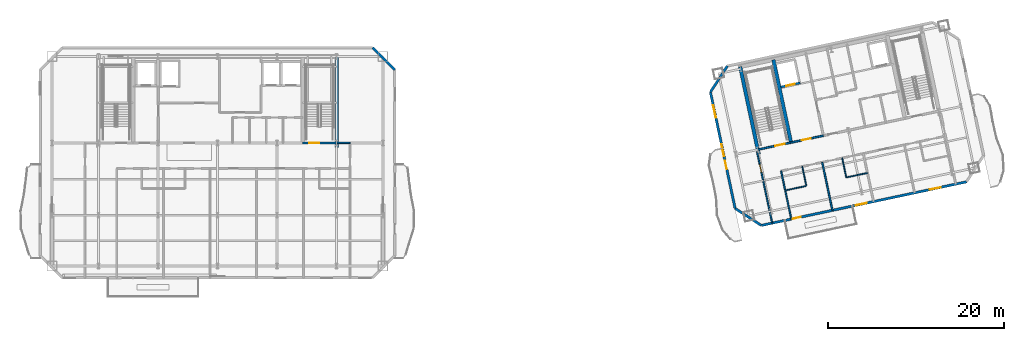
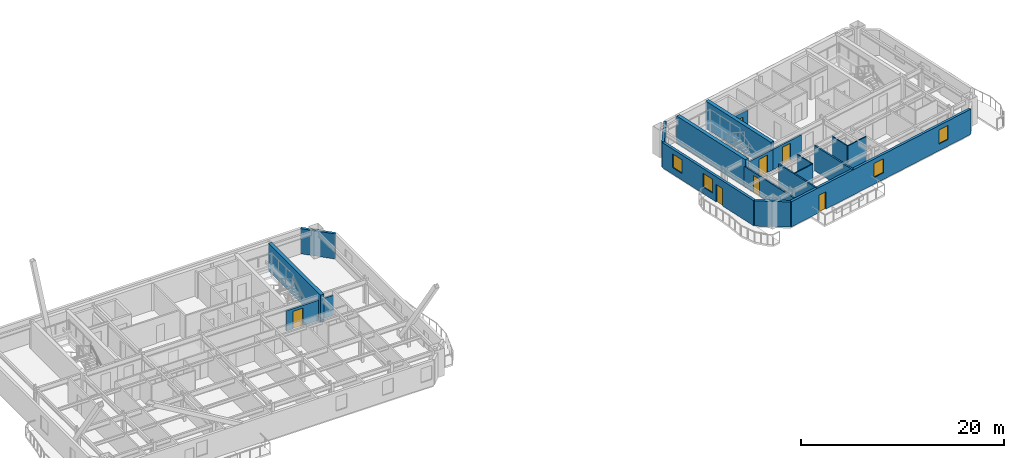
# One storey, part 7 of 14: 20 walls, 7 doors, 4 windows, 11 openings.
"""IFC4 building model written with IfcOpenShell, lengths in metres."""

from ifc_helpers import new_model, si_unit, direction, frame, frame_2d, origin, place, context, subcontext, project, spatial, rectangle, extrude, material, layer, layer_set, type_object, element, fill, save


model = new_model("IFC4")

# Units and contexts
model_context = context("Model", 3, precision=1e-05, world=origin(), true_north=direction((0.0, 1.0)))
body_context = subcontext(model_context, "Body", "Model", "MODEL_VIEW")
ifc_project = project(units=[si_unit("LENGTHUNIT", "METRE"), si_unit("AREAUNIT", "SQUARE_METRE"), si_unit("VOLUMEUNIT", "CUBIC_METRE"), si_unit("PLANEANGLEUNIT", "RADIAN"), si_unit("MASSUNIT", "GRAM", prefix="KILO")], contexts=[model_context])

# Site, building, storey
site_placement = place(None, origin())
site = spatial("IfcSite", under=ifc_project, at=site_placement, CompositionType="ELEMENT")
building_placement = place(site_placement, origin())
building = spatial("IfcBuilding", under=site, at=building_placement, Name="Haevon Station Towers", CompositionType="ELEMENT")
storey_placement = place(building_placement, frame((0.0, 0.0, 228.60009765625)))
storey = spatial("IfcBuildingStorey", under=building, at=storey_placement, Name="L63", CompositionType="ELEMENT", Elevation=228.60009765625)

# Walls
ifc_material_1 = material(Name="Gypsum board on steel stud", Category="steel")
ifc_layer_1 = layer(ifc_material_1, 0.179931640625)
ifc_layer_set_1 = layer_set([ifc_layer_1], Name="Gypsum board on steel stud")
wall_type_1 = type_object("IfcWallType", Name="WL-ACU180", PredefinedType="PARTITIONING", material=ifc_layer_set_1)
wall_1_placement = place(storey_placement, frame((51.0, 38.199951171875, 0.0), z_axis=(0.0, 0.0, 1.0), x_axis=(1.0, 0.0, 0.0)))
element("IfcWall", 1, at=wall_1_placement, inside=storey, type_object=wall_type_1, Name="WL-T1PT-L63-03", PredefinedType="PARTITIONING", context=body_context, shape_type="SweptSolid", body=[
    extrude(rectangle(XDim=1.52490234375, YDim=0.179931640625, at=frame_2d((0.762451171875, 0.0))), origin(), (0.0, 0.0, 1.0), 2.429931640625),
])
wall_2_placement = place(storey_placement, frame((107.211669921875, 30.560791015625, 0.0), z_axis=(0.0, 0.0, 1.0), x_axis=(-0.207894403042, 0.978151275204, 0.0)))
element("IfcWall", 2, at=wall_2_placement, inside=storey, type_object=wall_type_1, Name="WL-T2PT-L63-06", PredefinedType="PARTITIONING", context=body_context, shape_type="SweptSolid", body=[
    extrude(rectangle(XDim=5.56982421875, YDim=0.179931640625, at=frame_2d((2.784912109375, 0.0))), origin(), (0.0, 0.0, 1.0), 3.02978515625),
])

# Wall, opening, door
ifc_layer_2 = layer(ifc_material_1, 0.199951171875)
ifc_layer_set_2 = layer_set([ifc_layer_2], Name="Gypsum board on steel stud")
wall_type_2 = type_object("IfcWallType", Name="WL-COR200", PredefinedType="PARTITIONING", material=ifc_layer_set_2)
wall_3_placement = place(storey_placement, frame((47.14990234375, 38.199951171875, 0.0), z_axis=(0.0, 0.0, 1.0), x_axis=(1.0, 0.0, 0.0)))
wall_3 = element("IfcWall", 3, at=wall_3_placement, inside=storey, type_object=wall_type_2, Name="WL-ST-ST2-L63", PredefinedType="PARTITIONING", context=body_context, shape_type="SweptSolid", body=[
    extrude(rectangle(XDim=3.85009765625, YDim=0.199951171875, at=frame_2d((1.925048828125, 0.0))), origin(), (0.0, 0.0, 1.0), 2.429931640625),
])
opening_1_placement = place(wall_3_placement, frame((0.75, 0.0, 0.0)))
opening_1 = element("IfcOpeningElement", 4, at=opening_1_placement, cuts=wall_3, Name="Opening DR-ST-ST2-L63", PredefinedType="OPENING", context=body_context, shape_type="SweptSolid", body=[
    extrude(rectangle(XDim=1.1201171875, YDim=2.10009765625, at=frame_2d((0.56005859375, 1.050048828125))), frame((0.0, 0.10986328125, 0.0), z_axis=(0.0, -1.0, 0.0), x_axis=(1.0, 0.0, 0.0)), (0.0, 0.0, 1.0), 0.219970703125),
])
ifc_material_2 = material(Name="Engineered oak timber", Category="wood")
door_type_1 = type_object("IfcDoorType", Name="DR-ST-1120", OperationType="NOTDEFINED", PredefinedType="DOOR", material=ifc_material_2)
door_1_placement = place(opening_1_placement, origin())
door_1 = element("IfcDoor", 5, at=door_1_placement, inside=storey, type_object=door_type_1, Name="L63 Escape Stair ST2 Fire Door", OperationType="SINGLE_SWING_LEFT", OverallHeight=2.10009765625, OverallWidth=1.1201171875, PredefinedType="DOOR", context=body_context, shape_type="SweptSolid", body=[
    extrude(rectangle(XDim=1.1201171875, YDim=2.10009765625, at=frame_2d((0.56005859375, 1.050048828125))), frame((0.0, 0.02490234375, 0.0), z_axis=(0.0, -1.0, 0.0), x_axis=(1.0, 0.0, 0.0)), (0.0, 0.0, 1.0), 0.050048828125),
])
fill(opening_1, door_1)

wall_4_placement = place(storey_placement, frame((98.75244140625, 37.4423828125, 0.0), z_axis=(0.0, 0.0, 1.0), x_axis=(0.978143537786, 0.207930804564, 0.0)))
wall_4 = element("IfcWall", 6, at=wall_4_placement, inside=storey, type_object=wall_type_2, Name="WL-ST-ST3-L63", PredefinedType="PARTITIONING", context=body_context, shape_type="SweptSolid", body=[
    extrude(rectangle(XDim=3.85009765625, YDim=0.199951171875, at=frame_2d((1.925048828125, 0.0))), origin(), (0.0, 0.0, 1.0), 2.429931640625),
])
opening_2_placement = place(wall_4_placement, frame((2.0, 0.0, 0.0)))
opening_2 = element("IfcOpeningElement", 7, at=opening_2_placement, cuts=wall_4, Name="Opening DR-ST-ST3-L63", PredefinedType="OPENING", context=body_context, shape_type="SweptSolid", body=[
    extrude(rectangle(XDim=1.1201171875, YDim=2.10009765625, at=frame_2d((0.56005859375, 1.050048828125))), frame((0.0, 0.10986328125, 0.0), z_axis=(0.0, -1.0, 0.0), x_axis=(1.0, 0.0, 0.0)), (0.0, 0.0, 1.0), 0.219970703125),
])
door_2_placement = place(opening_2_placement, origin())
door_2 = element("IfcDoor", 8, at=door_2_placement, inside=storey, type_object=door_type_1, Name="L63 Escape Stair ST3 Fire Door", OperationType="SINGLE_SWING_LEFT", OverallHeight=2.10009765625, OverallWidth=1.1201171875, PredefinedType="DOOR", context=body_context, shape_type="SweptSolid", body=[
    extrude(rectangle(XDim=1.1201171875, YDim=2.10009765625, at=frame_2d((0.56005859375, 1.050048828125))), frame((0.0, 0.02490234375, 0.0), z_axis=(0.0, -1.0, 0.0), x_axis=(1.0, 0.0, 0.0)), (0.0, 0.0, 1.0), 0.050048828125),
])
fill(opening_2, door_2)

wall_5_placement = place(storey_placement, frame((102.518310546875, 38.242919921875, 0.0), z_axis=(0.0, 0.0, 1.0), x_axis=(0.978153555683, 0.20788367301, 0.0)))
wall_5 = element("IfcWall", 9, at=wall_5_placement, inside=storey, type_object=wall_type_2, Name="WL-T2FFL-L63-S", PredefinedType="PARTITIONING", context=body_context, shape_type="SweptSolid", body=[
    extrude(rectangle(XDim=3.75, YDim=0.199951171875, at=frame_2d((1.875, 0.0))), origin(), (0.0, 0.0, 1.0), 2.429931640625),
])
opening_3_placement = place(wall_5_placement, frame((1.25, 0.0, 0.0)))
opening_3 = element("IfcOpeningElement", 10, at=opening_3_placement, cuts=wall_5, Name="Opening DR-T2FFL-L63-S", PredefinedType="OPENING", context=body_context, shape_type="SweptSolid", body=[
    extrude(rectangle(XDim=1.050048828125, YDim=2.10009765625, at=frame_2d((0.52490234375, 1.050048828125))), frame((0.0, 0.10986328125, 0.0), z_axis=(0.0, -1.0, 0.0), x_axis=(1.0, 0.0, 0.0)), (0.0, 0.0, 1.0), 0.219970703125),
])
door_type_2 = type_object("IfcDoorType", Name="DR-FD60-1050", OperationType="NOTDEFINED", PredefinedType="DOOR", material=ifc_material_2)
door_3_placement = place(opening_3_placement, origin())
door_3 = element("IfcDoor", 11, at=door_3_placement, inside=storey, type_object=door_type_2, Name="L63 Tower 2 Firefighting Lift Lobby Door S", OperationType="SINGLE_SWING_RIGHT", OverallHeight=2.10009765625, OverallWidth=1.050048828125, PredefinedType="DOOR", context=body_context, shape_type="SweptSolid", body=[
    extrude(rectangle(XDim=1.050048828125, YDim=2.10009765625, at=frame_2d((0.52490234375, 1.050048828125))), frame((0.0, 0.02490234375, 0.0), z_axis=(0.0, -1.0, 0.0), x_axis=(1.0, 0.0, 0.0)), (0.0, 0.0, 1.0), 0.050048828125),
])
fill(opening_3, door_3)

# Walls
ifc_material_3 = material(Name="Concrete C60/75", Category="concrete")
ifc_layer_3 = layer(ifc_material_3, 0.39990234375)
ifc_layer_set_3 = layer_set([ifc_layer_3], Name="Concrete C60/75")
wall_type_3 = type_object("IfcWallType", Name="WL-CR400", PredefinedType="SHEAR", material=ifc_layer_set_3)
wall_6_placement = place(storey_placement, frame((51.0, 37.679931640625, 0.0), z_axis=(0.0, 0.0, 1.0), x_axis=(0.0, 1.0, 0.0)))
element("IfcWall", 12, at=wall_6_placement, inside=storey, type_object=wall_type_3, Name="WL-T1CR-L63-E", PredefinedType="SHEAR", context=body_context, shape_type="SweptSolid", body=[
    extrude(rectangle(XDim=10.320068359375, YDim=0.39990234375, at=frame_2d((5.16015625, 0.0))), origin(), (0.0, 0.0, 1.0), 3.2998046875),
])
wall_7_placement = place(storey_placement, frame((98.8603515625, 36.933837890625, 0.0), z_axis=(0.0, 0.0, 1.0), x_axis=(-0.20790924889, 0.978148119778, 0.0)))
element("IfcWall", 13, at=wall_7_placement, inside=storey, type_object=wall_type_3, Name="WL-T2CR-L63-W", PredefinedType="SHEAR", context=body_context, shape_type="SweptSolid", body=[
    extrude(rectangle(XDim=10.119873046875, YDim=0.39990234375, at=frame_2d((5.06005859375, 0.0))), origin(), (0.0, 0.0, 1.0), 3.2998046875),
])
wall_8_placement = place(storey_placement, frame((102.518310546875, 38.242919921875, 0.0), z_axis=(0.0, 0.0, 1.0), x_axis=(-0.207927495108, 0.978144241295, 0.0)))
element("IfcWall", 14, at=wall_8_placement, inside=storey, type_object=wall_type_3, Name="WL-T2CR-L63-M1", PredefinedType="SHEAR", context=body_context, shape_type="SweptSolid", body=[
    extrude(rectangle(XDim=9.599853515625, YDim=0.39990234375, at=frame_2d((4.7998046875, 0.0))), origin(), (0.0, 0.0, 1.0), 3.2998046875),
])
ifc_material_4 = material(Name="Precast concrete C45/55", Category="concrete")
ifc_layer_4 = layer(ifc_material_4, 0.280029296875)
ifc_layer_set_4 = layer_set([ifc_layer_4], Name="Precast concrete C45/55")
wall_type_4 = type_object("IfcWallType", Name="WL-EXT-PIER280", PredefinedType="SOLIDWALL", material=ifc_layer_set_4)
wall_9_placement = place(storey_placement, frame((55.10009765625, 49.0, 0.0), z_axis=(0.0, 0.0, 1.0), x_axis=(0.707106781187, -0.707106781187, 0.0)))
element("IfcWall", 15, at=wall_9_placement, inside=storey, type_object=wall_type_4, Name="WL-T1-L63-NEC", PredefinedType="SOLIDWALL", context=body_context, shape_type="SweptSolid", body=[
    extrude(rectangle(XDim=3.53564453125, YDim=0.280029296875, at=frame_2d((1.767822265625, 0.0))), origin(), (0.0, 0.0, 1.0), 3.02978515625),
])

# Wall, openings, door, windows
wall_10_placement = place(storey_placement, frame((122.427978515625, 33.795166015625, 0.0), z_axis=(0.0, 0.0, 1.0), x_axis=(-0.978147847697, -0.207910528946, 0.0)))
wall_10 = element("IfcWall", 16, at=wall_10_placement, inside=storey, type_object=wall_type_4, Name="WL-T2-L63-S", PredefinedType="SOLIDWALL", context=body_context, shape_type="SweptSolid", body=[
    extrude(rectangle(XDim=23.7998046875, YDim=0.280029296875, at=frame_2d((11.89990234375, 0.0))), origin(), (0.0, 0.0, 1.0), 3.02978515625),
])
opening_4_placement = place(wall_10_placement, frame((19.22509765625, 0.0, 0.0)))
opening_4 = element("IfcOpeningElement", 17, at=opening_4_placement, cuts=wall_10, Name="Opening DR-T2-PBAND-L63-1", PredefinedType="OPENING", context=body_context, shape_type="SweptSolid", body=[
    extrude(rectangle(XDim=0.949951171875, YDim=2.10009765625, at=frame_2d((0.47509765625, 1.050048828125))), frame((0.0, 0.14990234375, 0.0), z_axis=(0.0, -1.0, 0.0), x_axis=(1.0, 0.0, 0.0)), (0.0, 0.0, 1.0), 0.300048828125),
])
opening_5_placement = place(wall_10_placement, frame((11.585693359375, 0.0, 0.800048828125)))
opening_5 = element("IfcOpeningElement", 18, at=opening_5_placement, cuts=wall_10, Name="Opening WN-P125", PredefinedType="OPENING", context=body_context, shape_type="SweptSolid", body=[
    extrude(rectangle(XDim=1.25, YDim=1.699951171875, at=frame_2d((0.625, 0.85009765625))), frame((0.0, 0.14990234375, 0.0), z_axis=(0.0, -1.0, 0.0), x_axis=(1.0, 0.0, 0.0)), (0.0, 0.0, 1.0), 0.300048828125),
])
opening_6_placement = place(wall_10_placement, frame((3.02197265625, 0.0, 0.800048828125)))
opening_6 = element("IfcOpeningElement", 19, at=opening_6_placement, cuts=wall_10, Name="Opening WN-P125", PredefinedType="OPENING", context=body_context, shape_type="SweptSolid", body=[
    extrude(rectangle(XDim=1.25, YDim=1.699951171875, at=frame_2d((0.625, 0.85009765625))), frame((0.0, 0.14990234375, 0.0), z_axis=(0.0, -1.0, 0.0), x_axis=(1.0, 0.0, 0.0)), (0.0, 0.0, 1.0), 0.300048828125),
])
ifc_material_5 = material(Name="Thermally broken anodised aluminium and laminated safety glass", Category="aluminium")
door_type_3 = type_object("IfcDoorType", Name="DR-BALC-950", OperationType="NOTDEFINED", PredefinedType="DOOR", material=ifc_material_5)
door_4_placement = place(opening_4_placement, origin())
door_4 = element("IfcDoor", 20, at=door_4_placement, inside=storey, type_object=door_type_3, Name="Tower 2 L63 Balcony Terrace Door", OperationType="SINGLE_SWING_RIGHT", OverallHeight=2.10009765625, OverallWidth=0.949951171875, PredefinedType="DOOR", context=body_context, shape_type="SweptSolid", body=[
    extrude(rectangle(XDim=0.949951171875, YDim=2.10009765625, at=frame_2d((0.47509765625, 1.050048828125))), frame((0.0, 0.02490234375, 0.0), z_axis=(0.0, -1.0, 0.0), x_axis=(1.0, 0.0, 0.0)), (0.0, 0.0, 1.0), 0.050048828125),
])
fill(opening_4, door_4)
ifc_material_6 = material(Name="Low-E triple glazing in thermally broken aluminium", Category="aluminium")
window_type_1 = type_object("IfcWindowType", Name="WN-P125", PartitioningType="SINGLE_PANEL", PredefinedType="WINDOW", material=ifc_material_6)
window_1_placement = place(opening_5_placement, origin())
window_1 = element("IfcWindow", 21, at=window_1_placement, inside=storey, type_object=window_type_1, Name="WN-T2-L63-S01", OverallHeight=1.699951171875, OverallWidth=1.25, PartitioningType="SINGLE_PANEL", PredefinedType="WINDOW", context=body_context, shape_type="SweptSolid", body=[
    extrude(rectangle(XDim=1.25, YDim=1.699951171875, at=frame_2d((0.625, 0.85009765625))), frame((0.0, 0.030029296875, 0.0), z_axis=(0.0, -1.0, 0.0), x_axis=(1.0, 0.0, 0.0)), (0.0, 0.0, 1.0), 0.06005859375),
])
fill(opening_5, window_1)
window_2_placement = place(opening_6_placement, origin())
window_2 = element("IfcWindow", 22, at=window_2_placement, inside=storey, type_object=window_type_1, Name="WN-T2-L63-S02", OverallHeight=1.699951171875, OverallWidth=1.25, PartitioningType="SINGLE_PANEL", PredefinedType="WINDOW", context=body_context, shape_type="SweptSolid", body=[
    extrude(rectangle(XDim=1.25, YDim=1.699951171875, at=frame_2d((0.625, 0.85009765625))), frame((0.0, 0.030029296875, 0.0), z_axis=(0.0, -1.0, 0.0), x_axis=(1.0, 0.0, 0.0)), (0.0, 0.0, 1.0), 0.06005859375),
])
fill(opening_6, window_2)

# Wall
wall_11_placement = place(storey_placement, frame((99.148193359375, 28.846923828125, 0.0), z_axis=(0.0, 0.0, 1.0), x_axis=(-0.838692791597, 0.544604812064, 0.0)))
element("IfcWall", 23, at=wall_11_placement, inside=storey, type_object=wall_type_4, Name="WL-T2-L63-SWC", PredefinedType="SOLIDWALL", context=body_context, shape_type="SweptSolid", body=[
    extrude(rectangle(XDim=3.53564453125, YDim=0.280029296875, at=frame_2d((1.767822265625, 0.0))), origin(), (0.0, 0.0, 1.0), 3.02978515625),
])

# Wall, openings, door, windows
wall_12_placement = place(storey_placement, frame((96.182861328125, 30.7724609375, 0.0), z_axis=(0.0, 0.0, 1.0), x_axis=(-0.207907239961, 0.978148546782, 0.0)))
wall_12 = element("IfcWall", 24, at=wall_12_placement, inside=storey, type_object=wall_type_4, Name="WL-T2-L63-W", PredefinedType="SOLIDWALL", context=body_context, shape_type="SweptSolid", body=[
    extrude(rectangle(XDim=13.489990234375, YDim=0.280029296875, at=frame_2d((6.7451171875, 0.0))), origin(), (0.0, 0.0, 1.0), 3.02978515625),
])
opening_7_placement = place(wall_12_placement, frame((4.570068359375, 0.0, 0.0)))
opening_7 = element("IfcOpeningElement", 25, at=opening_7_placement, cuts=wall_12, Name="Opening DR-T2-SCAL-L63-W", PredefinedType="OPENING", context=body_context, shape_type="SweptSolid", body=[
    extrude(rectangle(XDim=0.949951171875, YDim=2.10009765625, at=frame_2d((0.47509765625, 1.050048828125))), frame((0.0, 0.14990234375, 0.0), z_axis=(0.0, -1.0, 0.0), x_axis=(1.0, 0.0, 0.0)), (0.0, 0.0, 1.0), 0.300048828125),
])
opening_8_placement = place(wall_12_placement, frame((6.044921875, 0.0, 0.800048828125)))
opening_8 = element("IfcOpeningElement", 26, at=opening_8_placement, cuts=wall_12, Name="Opening WN-END140", PredefinedType="OPENING", context=body_context, shape_type="SweptSolid", body=[
    extrude(rectangle(XDim=1.39990234375, YDim=1.64990234375, at=frame_2d((0.699951171875, 0.824951171875))), frame((0.0, 0.14990234375, 0.0), z_axis=(0.0, -1.0, 0.0), x_axis=(1.0, 0.0, 0.0)), (0.0, 0.0, 1.0), 0.300048828125),
])
opening_9_placement = place(wall_12_placement, frame((10.540771484375, 0.0, 0.800048828125)))
opening_9 = element("IfcOpeningElement", 27, at=opening_9_placement, cuts=wall_12, Name="Opening WN-END140", PredefinedType="OPENING", context=body_context, shape_type="SweptSolid", body=[
    extrude(rectangle(XDim=1.39990234375, YDim=1.64990234375, at=frame_2d((0.699951171875, 0.824951171875))), frame((0.0, 0.14990234375, 0.0), z_axis=(0.0, -1.0, 0.0), x_axis=(1.0, 0.0, 0.0)), (0.0, 0.0, 1.0), 0.300048828125),
])
door_5_placement = place(opening_7_placement, origin())
door_5 = element("IfcDoor", 28, at=door_5_placement, inside=storey, type_object=door_type_3, Name="Tower 2 L63 West Scalloped Balcony Door", OperationType="SINGLE_SWING_LEFT", OverallHeight=2.10009765625, OverallWidth=0.949951171875, PredefinedType="DOOR", context=body_context, shape_type="SweptSolid", body=[
    extrude(rectangle(XDim=0.949951171875, YDim=2.10009765625, at=frame_2d((0.47509765625, 1.050048828125))), frame((0.0, 0.02490234375, 0.0), z_axis=(0.0, -1.0, 0.0), x_axis=(1.0, 0.0, 0.0)), (0.0, 0.0, 1.0), 0.050048828125),
])
fill(opening_7, door_5)
window_type_2 = type_object("IfcWindowType", Name="WN-END140", PartitioningType="SINGLE_PANEL", PredefinedType="WINDOW", material=ifc_material_6)
window_3_placement = place(opening_8_placement, origin())
window_3 = element("IfcWindow", 29, at=window_3_placement, inside=storey, type_object=window_type_2, Name="WN-T2-L63-W01", OverallHeight=1.64990234375, OverallWidth=1.39990234375, PartitioningType="SINGLE_PANEL", PredefinedType="WINDOW", context=body_context, shape_type="SweptSolid", body=[
    extrude(rectangle(XDim=1.39990234375, YDim=1.64990234375, at=frame_2d((0.699951171875, 0.824951171875))), frame((0.0, 0.030029296875, 0.0), z_axis=(0.0, -1.0, 0.0), x_axis=(1.0, 0.0, 0.0)), (0.0, 0.0, 1.0), 0.06005859375),
])
fill(opening_8, window_3)
window_4_placement = place(opening_9_placement, origin())
window_4 = element("IfcWindow", 30, at=window_4_placement, inside=storey, type_object=window_type_2, Name="WN-T2-L63-W02", OverallHeight=1.64990234375, OverallWidth=1.39990234375, PartitioningType="SINGLE_PANEL", PredefinedType="WINDOW", context=body_context, shape_type="SweptSolid", body=[
    extrude(rectangle(XDim=1.39990234375, YDim=1.64990234375, at=frame_2d((0.699951171875, 0.824951171875))), frame((0.0, 0.030029296875, 0.0), z_axis=(0.0, -1.0, 0.0), x_axis=(1.0, 0.0, 0.0)), (0.0, 0.0, 1.0), 0.06005859375),
])
fill(opening_9, window_4)

# Walls
wall_13_placement = place(storey_placement, frame((93.378173828125, 43.9677734375, 0.0), z_axis=(0.0, 0.0, 1.0), x_axis=(0.544636352948, 0.838672309694, 0.0)))
element("IfcWall", 31, at=wall_13_placement, inside=storey, type_object=wall_type_4, Name="WL-T2-L63-NWC", PredefinedType="SOLIDWALL", context=body_context, shape_type="SweptSolid", body=[
    extrude(rectangle(XDim=3.535400390625, YDim=0.280029296875, at=frame_2d((1.767578125, 0.0))), origin(), (0.0, 0.0, 1.0), 3.02978515625),
])
ifc_layer_5 = layer(ifc_material_1, 0.125)
ifc_layer_set_5 = layer_set([ifc_layer_5], Name="Gypsum board on steel stud")
wall_type_5 = type_object("IfcWallType", Name="WL-PRT125", PredefinedType="PARTITIONING", material=ifc_layer_set_5)
wall_14_placement = place(storey_placement, frame((101.86181640625, 32.81787109375, 0.0), z_axis=(0.0, 0.0, 1.0), x_axis=(0.978156824814, 0.207868290196, 0.0)))
element("IfcWall", 32, at=wall_14_placement, inside=storey, type_object=wall_type_5, Name="WL-T2PT-L63-04", PredefinedType="PARTITIONING", context=body_context, shape_type="SweptSolid", body=[
    extrude(rectangle(XDim=2.449951171875, YDim=0.125, at=frame_2d((1.22509765625, 0.0))), origin(), (0.0, 0.0, 1.0), 3.02978515625),
])
wall_15_placement = place(storey_placement, frame((104.25830078125, 33.3271484375, 0.0), z_axis=(0.0, 0.0, 1.0), x_axis=(-0.207891197838, 0.978151956427, 0.0)))
element("IfcWall", 33, at=wall_15_placement, inside=storey, type_object=wall_type_5, Name="WL-T2PT-L63-05", PredefinedType="PARTITIONING", context=body_context, shape_type="SweptSolid", body=[
    extrude(rectangle(XDim=2.25, YDim=0.125, at=frame_2d((1.125, 0.0))), origin(), (0.0, 0.0, 1.0), 3.02978515625),
])
wall_16_placement = place(storey_placement, frame((108.78466796875, 34.289306640625, 0.0), z_axis=(0.0, 0.0, 1.0), x_axis=(0.978136559131, 0.207963630695, 0.0)))
element("IfcWall", 34, at=wall_16_placement, inside=storey, type_object=wall_type_5, Name="WL-T2PT-L63-07", PredefinedType="PARTITIONING", context=body_context, shape_type="SweptSolid", body=[
    extrude(rectangle(XDim=2.449951171875, YDim=0.125, at=frame_2d((1.22509765625, 0.0))), origin(), (0.0, 0.0, 1.0), 3.02978515625),
])
wall_17_placement = place(storey_placement, frame((108.78466796875, 34.289306640625, 0.0), z_axis=(0.0, 0.0, 1.0), x_axis=(-0.207891197838, 0.978151956427, 0.0)))
element("IfcWall", 35, at=wall_17_placement, inside=storey, type_object=wall_type_5, Name="WL-T2PT-L63-08", PredefinedType="PARTITIONING", context=body_context, shape_type="SweptSolid", body=[
    extrude(rectangle(XDim=2.25, YDim=0.125, at=frame_2d((1.125, 0.0))), origin(), (0.0, 0.0, 1.0), 3.02978515625),
])
ifc_layer_6 = layer(ifc_material_1, 0.159912109375)
ifc_layer_set_6 = layer_set([ifc_layer_6], Name="Gypsum board on steel stud")
wall_type_6 = type_object("IfcWallType", Name="WL-PRT160", PredefinedType="PARTITIONING", material=ifc_layer_set_6)
wall_18_placement = place(storey_placement, frame((102.552001953125, 29.5703125, 0.0), z_axis=(0.0, 0.0, 1.0), x_axis=(-0.207894403042, 0.978151275204, 0.0)))
element("IfcWall", 36, at=wall_18_placement, inside=storey, type_object=wall_type_6, Name="WL-T2PT-L63-01", PredefinedType="PARTITIONING", context=body_context, shape_type="SweptSolid", body=[
    extrude(rectangle(XDim=5.56982421875, YDim=0.159912109375, at=frame_2d((2.784912109375, 0.0))), origin(), (0.0, 0.0, 1.0), 3.02978515625),
])

# Wall, opening, door
wall_19_placement = place(storey_placement, frame((100.385498046875, 29.10986328125, 0.0), z_axis=(0.0, 0.0, 1.0), x_axis=(-0.207922572799, 0.978145287634, 0.0)))
wall_19 = element("IfcWall", 37, at=wall_19_placement, inside=storey, type_object=wall_type_6, Name="WL-T2PT-L63-02", PredefinedType="PARTITIONING", context=body_context, shape_type="SweptSolid", body=[
    extrude(rectangle(XDim=8.18994140625, YDim=0.159912109375, at=frame_2d((4.094970703125, 0.0))), origin(), (0.0, 0.0, 1.0), 2.429931640625),
])
opening_10_placement = place(wall_19_placement, frame((5.889892578125, 0.0, 0.0)))
opening_10 = element("IfcOpeningElement", 38, at=opening_10_placement, cuts=wall_19, Name="Opening DR-WL-T2PT-L63-02-01", PredefinedType="OPENING", context=body_context, shape_type="SweptSolid", body=[
    extrude(rectangle(XDim=0.89990234375, YDim=2.050048828125, at=frame_2d((0.449951171875, 1.02490234375))), frame((0.0, 0.08984375, 0.0), z_axis=(0.0, -1.0, 0.0), x_axis=(1.0, 0.0, 0.0)), (0.0, 0.0, 1.0), 0.179931640625),
])
door_type_4 = type_object("IfcDoorType", Name="DR-INT-900", OperationType="NOTDEFINED", PredefinedType="DOOR", material=ifc_material_2)
door_6_placement = place(opening_10_placement, origin())
door_6 = element("IfcDoor", 39, at=door_6_placement, inside=storey, type_object=door_type_4, Name="L63 Tower 2 Room Door 2-1", OperationType="SINGLE_SWING_LEFT", OverallHeight=2.050048828125, OverallWidth=0.89990234375, PredefinedType="DOOR", context=body_context, shape_type="SweptSolid", body=[
    extrude(rectangle(XDim=0.89990234375, YDim=2.050048828125, at=frame_2d((0.449951171875, 1.02490234375))), frame((0.0, 0.02490234375, 0.0), z_axis=(0.0, -1.0, 0.0), x_axis=(1.0, 0.0, 0.0)), (0.0, 0.0, 1.0), 0.050048828125),
])
fill(opening_10, door_6)

ifc_material_7 = material(Name="Concrete C40/50", Category="concrete")
ifc_layer_7 = layer(ifc_material_7, 0.239990234375)
ifc_layer_set_7 = layer_set([ifc_layer_7], Name="Concrete C40/50")
wall_type_7 = type_object("IfcWallType", Name="WL-SHF240", PredefinedType="PARTITIONING", material=ifc_layer_set_7)
wall_20_placement = place(storey_placement, frame((101.353759765625, 44.538330078125, 0.0), z_axis=(0.0, 0.0, 1.0), x_axis=(0.978141002414, 0.207942731049, 0.0)))
wall_20 = element("IfcWall", 40, at=wall_20_placement, inside=storey, type_object=wall_type_7, Name="WL-SHF-FL2-L63", PredefinedType="PARTITIONING", context=body_context, shape_type="SweptSolid", body=[
    extrude(rectangle(XDim=2.260009765625, YDim=0.239990234375, at=frame_2d((1.1298828125, 0.0))), origin(), (0.0, 0.0, 1.0), 2.72998046875),
])
opening_11_placement = place(wall_20_placement, frame((0.655029296875, 0.0, 0.0)))
opening_11 = element("IfcOpeningElement", 41, at=opening_11_placement, cuts=wall_20, Name="Opening LD-FL2-L63", PredefinedType="OPENING", context=body_context, shape_type="SweptSolid", body=[
    extrude(rectangle(XDim=0.949951171875, YDim=2.14990234375, at=frame_2d((0.47509765625, 1.074951171875))), frame((0.0, 0.1298828125, 0.0), z_axis=(0.0, -1.0, 0.0), x_axis=(1.0, 0.0, 0.0)), (0.0, 0.0, 1.0), 0.260009765625),
])
ifc_material_8 = material(Name="Stainless steel and rated core", Category="steel")
door_type_5 = type_object("IfcDoorType", Name="LD-FL950", OperationType="SLIDING_TO_LEFT", PredefinedType="DOOR", material=ifc_material_8)
door_7_placement = place(opening_11_placement, origin())
door_7 = element("IfcDoor", 42, at=door_7_placement, inside=storey, type_object=door_type_5, Name="L63 Lift FL2 Sliding Landing Door", OperationType="SLIDING_TO_LEFT", OverallHeight=2.14990234375, OverallWidth=0.949951171875, PredefinedType="DOOR", context=body_context, shape_type="SweptSolid", body=[
    extrude(rectangle(XDim=0.949951171875, YDim=2.14990234375, at=frame_2d((0.47509765625, 1.074951171875))), frame((0.0, 0.02490234375, 0.0), z_axis=(0.0, -1.0, 0.0), x_axis=(1.0, 0.0, 0.0)), (0.0, 0.0, 1.0), 0.050048828125),
])
fill(opening_11, door_7)

save(model, "model.ifc")
